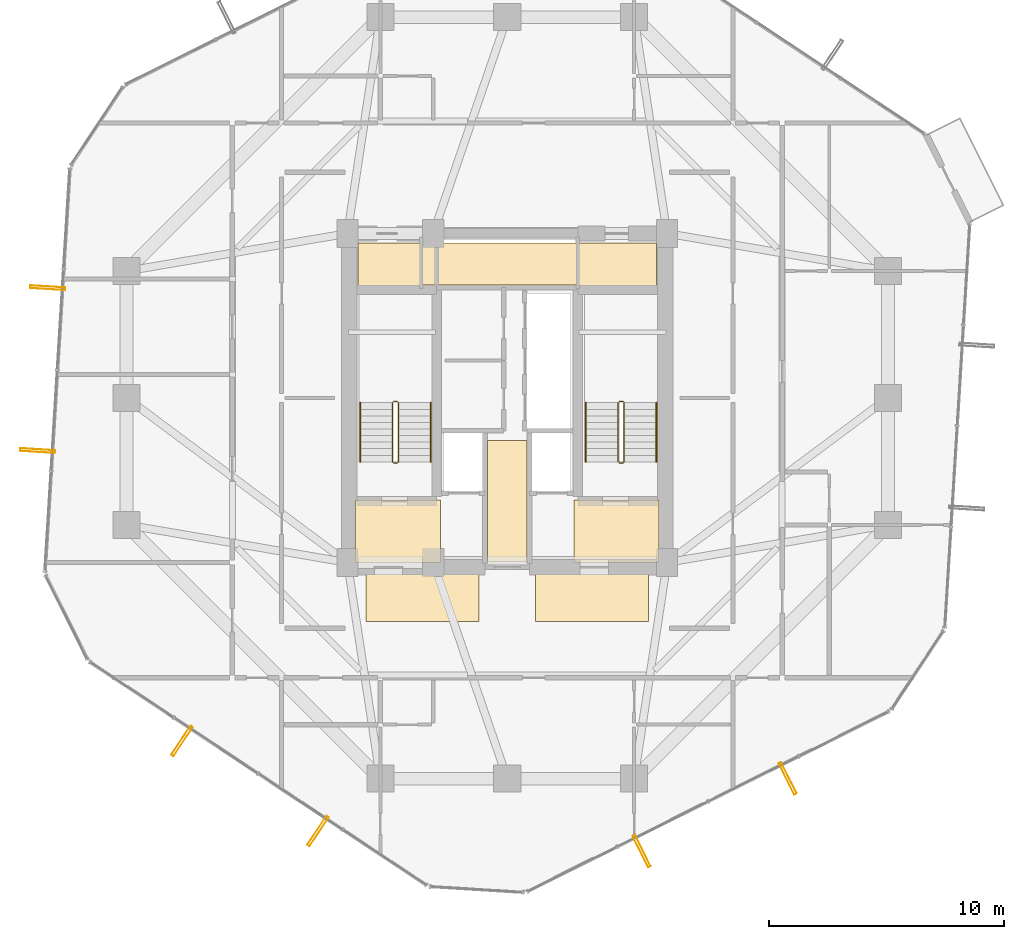
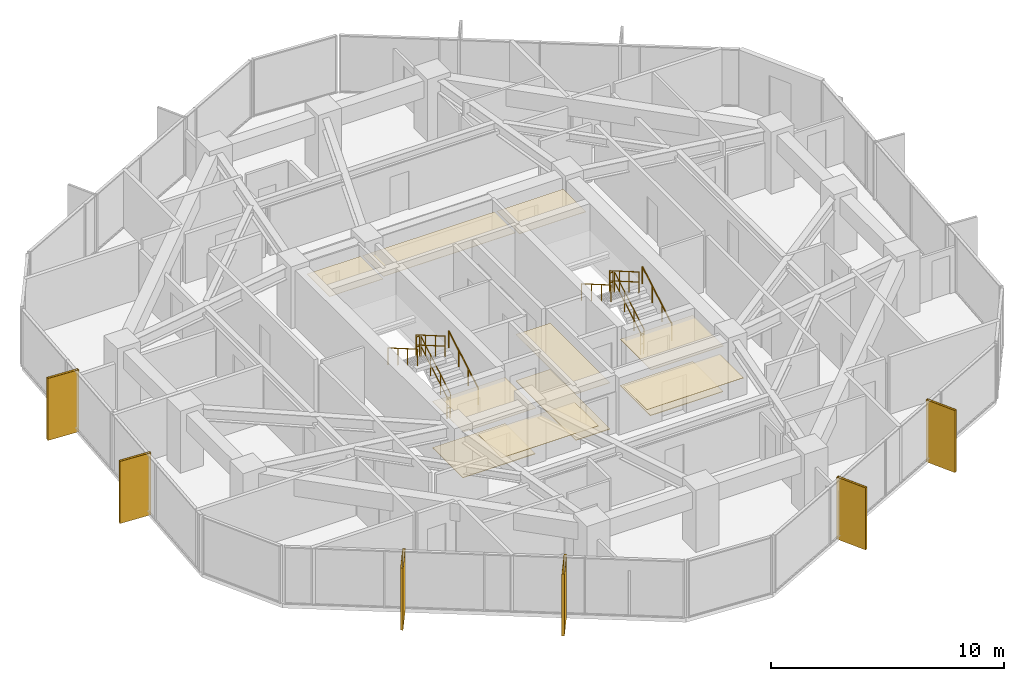
# One storey, part 29 of 30: 12 railings, 11 coverings, 6 shading devices.
"""IFC4 building model written with IfcOpenShell, lengths in metres."""

from ifc_helpers import new_model, si_unit, direction, frame, origin, origin_2d, place, context, subcontext, project, spatial, polyline, hollow_rectangle, circle, outline, extrude, material, layer, layer_set, material_profile, profile_set, type_object, element, save


model = new_model("IFC4")

# Units and contexts
model_context = context("Model", 3, precision=1e-05, world=origin(), true_north=direction((0.0, 1.0)))
body_context = subcontext(model_context, "Body", "Model", "MODEL_VIEW")
ifc_project = project(units=[si_unit("LENGTHUNIT", "METRE"), si_unit("AREAUNIT", "SQUARE_METRE"), si_unit("VOLUMEUNIT", "CUBIC_METRE"), si_unit("PLANEANGLEUNIT", "RADIAN"), si_unit("MASSUNIT", "GRAM", prefix="KILO")], contexts=[model_context])

# Site, building, storey
site_placement = place(None, origin())
site = spatial("IfcSite", under=ifc_project, at=site_placement, CompositionType="ELEMENT")
building_placement = place(site_placement, origin())
building = spatial("IfcBuilding", under=site, at=building_placement, Name="Veraguas Prism Commons", CompositionType="ELEMENT")
storey_placement = place(building_placement, frame((0.0, 0.0, 116.5)))
storey = spatial("IfcBuildingStorey", under=building, at=storey_placement, Name="L32", CompositionType="ELEMENT", Elevation=116.5)

# Shading devices
ifc_material_1 = material(Name="Anodised aluminium EN AW-6063 T6", Category="aluminium")
ifc_material_profile = material_profile(ifc_material_1, hollow_rectangle(XDim=0.1201171875, YDim=1.489990234375, WallThickness=0.006103515625, at=origin_2d()), Name="FIN120X1490X6")
ifc_profile_set = profile_set([ifc_material_profile], Name="Anodised aluminium EN AW-6063 T6")
shading_device_type = type_object("IfcShadingDeviceType", Name="Deep Pale-Metal Vertical Solar Fin 120x1490", PredefinedType="USERDEFINED", material=ifc_profile_set)
for number, where, z_axis, x_axis, name in (
    (1, (4.444580078125, 28.687255859375, -0.22998046875), (0.0, 0.0, 1.0), (-0.061741870147, -0.998092150791, 0.0), "Vertical Pale-Metal Solar Fin L32-F3A"),
    (2, (4.01611328125, 21.7587890625, -0.22998046875), (0.0, 0.0, 1.0), (-0.061741870147, -0.998092150791, 0.0), "Vertical Pale-Metal Solar Fin L32-F3B"),
    (3, (10.1630859375, 9.408203125, -0.22998046875), (0.0, 0.0, 1.0), (0.833501258506, -0.552517558155, 0.0), "Vertical Pale-Metal Solar Fin L32-F4A"),
    (4, (15.948974609375, 5.57275390625, -0.22998046875), (0.0, 0.0, 1.0), (0.833501258506, -0.552517558155, 0.0), "Vertical Pale-Metal Solar Fin L32-F4B"),
    (5, (29.718505859375, 4.720947265625, -0.22998046875), (0.0, 0.0, 1.0), (0.895246425995, 0.445571359878, 0.0), "Vertical Pale-Metal Solar Fin L32-F5A"),
    (6, (35.93310546875, 7.81396484375, -0.22998046875), (0.0, 0.0, 1.0), (0.895246425995, 0.445571359878, 0.0), "Vertical Pale-Metal Solar Fin L32-F5B"),
):
    element("IfcShadingDevice", number, at=place(storey_placement, frame(where, z_axis=z_axis, x_axis=x_axis)), inside=storey, type_object=shading_device_type, Name=name, ObjectType="FIN", PredefinedType="USERDEFINED", context=body_context, shape_type="SweptSolid", body=[
        extrude(hollow_rectangle(XDim=0.1201171875, YDim=1.489990234375, WallThickness=0.006103515625, at=origin_2d()), origin(), (0.0, 0.0, 1.0), 3.25),
    ])

# Coverings
ifc_material_2 = material(Name="Acoustic gypsum board")
ifc_layer_1 = layer(ifc_material_2, 0.02490234375, Name="Perforated Acoustic Ceiling Tile 25")
ifc_layer_set_1 = layer_set([ifc_layer_1], Name="Acoustic gypsum board")
covering_type_1 = type_object("IfcCoveringType", Name="Perforated Acoustic Ceiling Tile 25", PredefinedType="USERDEFINED", material=ifc_layer_set_1)
covering_1_placement = place(storey_placement, frame((0.0, 0.0, 2.425048828125)))
element("IfcCovering", 7, at=covering_1_placement, inside=storey, type_object=covering_type_1, Name="East Lobby Acoustic Ceiling L32", ObjectType="ACOUSTIC CEILING", PredefinedType="USERDEFINED", context=body_context, shape_type="SweptSolid", body=[
    extrude(outline(polyline([(26.85009765625, 17.0), (30.449951171875, 17.0), (30.449951171875, 19.64990234375), (26.85009765625, 19.64990234375), (26.85009765625, 17.0)])), origin(), (0.0, 0.0, 1.0), 0.02490234375),
])
ifc_material_3 = material(Name="Terrazzo stone finish", Category="masonry")
ifc_layer_2 = layer(ifc_material_3, 0.030029296875, Name="Polished Terrazzo Floor Finish 30", Category="masonry")
ifc_layer_set_2 = layer_set([ifc_layer_2], Name="Terrazzo stone finish")
covering_type_2 = type_object("IfcCoveringType", Name="Polished Terrazzo Floor Finish 30", PredefinedType="FLOORING", material=ifc_layer_set_2)
covering_2_placement = place(storey_placement, origin())
element("IfcCovering", 8, at=covering_2_placement, inside=storey, type_object=covering_type_2, Name="Terrazzo Lobby Flooring L32", PredefinedType="FLOORING", context=body_context, shape_type="SweptSolid", body=[
    extrude(outline(polyline([(23.14990234375, 17.050048828125), (24.85009765625, 17.050048828125), (24.85009765625, 22.199951171875), (23.14990234375, 22.199951171875), (23.14990234375, 17.050048828125)])), origin(), (0.0, 0.0, 1.0), 0.030029296875),
])
covering_3_placement = place(storey_placement, origin())
element("IfcCovering", 9, at=covering_3_placement, inside=storey, type_object=covering_type_2, Name="West FF Lobby Terrazzo Flooring L32", PredefinedType="FLOORING", context=body_context, shape_type="SweptSolid", body=[
    extrude(outline(polyline([(17.550048828125, 17.050048828125), (21.14990234375, 17.050048828125), (21.14990234375, 19.64990234375), (17.550048828125, 19.64990234375), (17.550048828125, 17.050048828125)])), origin(), (0.0, 0.0, 1.0), 0.030029296875),
])
covering_4_placement = place(storey_placement, origin())
element("IfcCovering", 10, at=covering_4_placement, inside=storey, type_object=covering_type_2, Name="East FF Lobby Terrazzo Flooring L32", PredefinedType="FLOORING", context=body_context, shape_type="SweptSolid", body=[
    extrude(outline(polyline([(26.85009765625, 17.050048828125), (30.449951171875, 17.050048828125), (30.449951171875, 19.64990234375), (26.85009765625, 19.64990234375), (26.85009765625, 17.050048828125)])), origin(), (0.0, 0.0, 1.0), 0.030029296875),
])

# Railings
ifc_material_4 = material(Name="Stainless steel AISI 316", Category="steel")
railing_type_1 = type_object("IfcRailingType", Name="Stair and Ramp Stainless Handrail 900", PredefinedType="HANDRAIL", material=ifc_material_4)
railing_1_placement = place(storey_placement, frame((20.75, 21.280029296875, 0.16259765625)))
element("IfcRailing", 11, at=railing_1_placement, inside=storey, type_object=railing_type_1, Name="Stair Handrail ST-01 L32-1", PredefinedType="HANDRAIL", context=body_context, shape_type="SweptSolid", body=[
    extrude(circle(Radius=0.02392578125, at=origin_2d()), frame((0.0, 0.0, 0.8759765625), z_axis=(0.0, 0.864913338283, 0.50192122615), x_axis=(-1.0, 0.0, 0.0)), (0.0, 0.0, 1.0), 2.91357421875),
    extrude(circle(Radius=0.02099609375, at=origin_2d()), origin(), (0.0, 0.0, 1.0), 0.851806640625),
    extrude(circle(Radius=0.02099609375, at=origin_2d()), frame((0.0, 0.840087890625, 0.487548828125)), (0.0, 0.0, 1.0), 0.851806640625),
    extrude(circle(Radius=0.02099609375, at=origin_2d()), frame((0.0, 1.679931640625, 0.974853515625)), (0.0, 0.0, 1.0), 0.851806640625),
    extrude(circle(Radius=0.02099609375, at=origin_2d()), frame((0.0, 2.52001953125, 1.46240234375)), (0.0, 0.0, 1.0), 0.851806640625),
])
railing_2_placement = place(storey_placement, frame((17.739990234375, 23.800048828125, 1.78759765625)))
element("IfcRailing", 12, at=railing_2_placement, inside=storey, type_object=railing_type_1, Name="Stair Handrail ST-01 L32-2", PredefinedType="HANDRAIL", context=body_context, shape_type="SweptSolid", body=[
    extrude(circle(Radius=0.02392578125, at=origin_2d()), frame((0.0, 0.0, 0.8759765625), z_axis=(0.0, -0.864913338283, 0.50192122615), x_axis=(1.0, 0.0, 0.0)), (0.0, 0.0, 1.0), 2.91357421875),
    extrude(circle(Radius=0.02099609375, at=origin_2d()), origin(), (0.0, 0.0, 1.0), 0.851806640625),
    extrude(circle(Radius=0.02099609375, at=origin_2d()), frame((0.0, -0.840087890625, 0.487548828125)), (0.0, 0.0, 1.0), 0.851806640625),
    extrude(circle(Radius=0.02099609375, at=origin_2d()), frame((0.0, -1.679931640625, 0.974853515625)), (0.0, 0.0, 1.0), 0.851806640625),
    extrude(circle(Radius=0.02099609375, at=origin_2d()), frame((0.0, -2.52001953125, 1.46240234375)), (0.0, 0.0, 1.0), 0.851806640625),
])
railing_3_placement = place(storey_placement, frame((30.35009765625, 21.280029296875, 0.16259765625)))
element("IfcRailing", 13, at=railing_3_placement, inside=storey, type_object=railing_type_1, Name="Stair Handrail ST-02 L32-1", PredefinedType="HANDRAIL", context=body_context, shape_type="SweptSolid", body=[
    extrude(circle(Radius=0.02392578125, at=origin_2d()), frame((0.0, 0.0, 0.8759765625), z_axis=(0.0, 0.864913338283, 0.50192122615), x_axis=(-1.0, 0.0, 0.0)), (0.0, 0.0, 1.0), 2.91357421875),
    extrude(circle(Radius=0.02099609375, at=origin_2d()), origin(), (0.0, 0.0, 1.0), 0.851806640625),
    extrude(circle(Radius=0.02099609375, at=origin_2d()), frame((0.0, 0.840087890625, 0.487548828125)), (0.0, 0.0, 1.0), 0.851806640625),
    extrude(circle(Radius=0.02099609375, at=origin_2d()), frame((0.0, 1.679931640625, 0.974853515625)), (0.0, 0.0, 1.0), 0.851806640625),
    extrude(circle(Radius=0.02099609375, at=origin_2d()), frame((0.0, 2.52001953125, 1.46240234375)), (0.0, 0.0, 1.0), 0.851806640625),
])
railing_4_placement = place(storey_placement, frame((27.340087890625, 23.800048828125, 1.78759765625)))
element("IfcRailing", 14, at=railing_4_placement, inside=storey, type_object=railing_type_1, Name="Stair Handrail ST-02 L32-2", PredefinedType="HANDRAIL", context=body_context, shape_type="SweptSolid", body=[
    extrude(circle(Radius=0.02392578125, at=origin_2d()), frame((0.0, 0.0, 0.8759765625), z_axis=(0.0, -0.864913338283, 0.50192122615), x_axis=(1.0, 0.0, 0.0)), (0.0, 0.0, 1.0), 2.91357421875),
    extrude(circle(Radius=0.02099609375, at=origin_2d()), origin(), (0.0, 0.0, 1.0), 0.851806640625),
    extrude(circle(Radius=0.02099609375, at=origin_2d()), frame((0.0, -0.840087890625, 0.487548828125)), (0.0, 0.0, 1.0), 0.851806640625),
    extrude(circle(Radius=0.02099609375, at=origin_2d()), frame((0.0, -1.679931640625, 0.974853515625)), (0.0, 0.0, 1.0), 0.851806640625),
    extrude(circle(Radius=0.02099609375, at=origin_2d()), frame((0.0, -2.52001953125, 1.46240234375)), (0.0, 0.0, 1.0), 0.851806640625),
])
railing_type_2 = type_object("IfcRailingType", Name="Stairwell Safety Guardrail 1100", PredefinedType="GUARDRAIL", material=ifc_material_4)
railing_5_placement = place(storey_placement, frame((19.3701171875, 21.280029296875, 0.16259765625)))
element("IfcRailing", 15, at=railing_5_placement, inside=storey, type_object=railing_type_2, Name="Stair Guard ST-01 L32-1", PredefinedType="GUARDRAIL", context=body_context, shape_type="SweptSolid", body=[
    extrude(circle(Radius=0.02392578125, at=origin_2d()), frame((0.0, 0.0, 1.076171875), z_axis=(0.0, 0.864913338283, 0.50192122615), x_axis=(-1.0, 0.0, 0.0)), (0.0, 0.0, 1.0), 2.91357421875),
    extrude(circle(Radius=0.02392578125, at=origin_2d()), frame((0.0, 0.0, 0.550048828125), z_axis=(0.0, 0.864913338283, 0.50192122615), x_axis=(-1.0, 0.0, 0.0)), (0.0, 0.0, 1.0), 2.91357421875),
    extrude(circle(Radius=0.02099609375, at=origin_2d()), origin(), (0.0, 0.0, 1.0), 1.052001953125),
    extrude(circle(Radius=0.02099609375, at=origin_2d()), frame((0.0, 0.840087890625, 0.487548828125)), (0.0, 0.0, 1.0), 1.052001953125),
    extrude(circle(Radius=0.02099609375, at=origin_2d()), frame((0.0, 1.679931640625, 0.974853515625)), (0.0, 0.0, 1.0), 1.052001953125),
    extrude(circle(Radius=0.02099609375, at=origin_2d()), frame((0.0, 2.52001953125, 1.46240234375)), (0.0, 0.0, 1.0), 1.052001953125),
])
railing_6_placement = place(storey_placement, frame((19.320068359375, 23.85009765625, 1.625)))
element("IfcRailing", 16, at=railing_6_placement, inside=storey, type_object=railing_type_2, Name="Stair Guard ST-01 L32-2", PredefinedType="GUARDRAIL", context=body_context, shape_type="SweptSolid", body=[
    extrude(circle(Radius=0.02392578125, at=origin_2d()), frame((0.0, 0.0, 1.076171875), z_axis=(-1.0, 0.0, 0.0), x_axis=(0.0, -1.0, 0.0)), (0.0, 0.0, 1.0), 0.150146484375),
    extrude(circle(Radius=0.02392578125, at=origin_2d()), frame((0.0, 0.0, 0.550048828125), z_axis=(-1.0, 0.0, 0.0), x_axis=(0.0, -1.0, 0.0)), (0.0, 0.0, 1.0), 0.150146484375),
    extrude(circle(Radius=0.02099609375, at=origin_2d()), origin(), (0.0, 0.0, 1.0), 1.052001953125),
    extrude(circle(Radius=0.02099609375, at=origin_2d()), frame((-0.150146484375, 0.0, 0.0)), (0.0, 0.0, 1.0), 1.052001953125),
])
railing_7_placement = place(storey_placement, frame((19.1201171875, 23.800048828125, 1.78759765625)))
element("IfcRailing", 17, at=railing_7_placement, inside=storey, type_object=railing_type_2, Name="Stair Guard ST-01 L32-3", PredefinedType="GUARDRAIL", context=body_context, shape_type="SweptSolid", body=[
    extrude(circle(Radius=0.02392578125, at=origin_2d()), frame((0.0, 0.0, 1.076171875), z_axis=(0.0, -0.864913338283, 0.50192122615), x_axis=(1.0, 0.0, 0.0)), (0.0, 0.0, 1.0), 2.91357421875),
    extrude(circle(Radius=0.02392578125, at=origin_2d()), frame((0.0, 0.0, 0.550048828125), z_axis=(0.0, -0.864913338283, 0.50192122615), x_axis=(1.0, 0.0, 0.0)), (0.0, 0.0, 1.0), 2.91357421875),
    extrude(circle(Radius=0.02099609375, at=origin_2d()), origin(), (0.0, 0.0, 1.0), 1.052001953125),
    extrude(circle(Radius=0.02099609375, at=origin_2d()), frame((0.0, -0.840087890625, 0.487548828125)), (0.0, 0.0, 1.0), 1.052001953125),
    extrude(circle(Radius=0.02099609375, at=origin_2d()), frame((0.0, -1.679931640625, 0.974853515625)), (0.0, 0.0, 1.0), 1.052001953125),
    extrude(circle(Radius=0.02099609375, at=origin_2d()), frame((0.0, -2.52001953125, 1.46240234375)), (0.0, 0.0, 1.0), 1.052001953125),
])
railing_8_placement = place(storey_placement, frame((19.320068359375, 21.22998046875, 0.0)))
element("IfcRailing", 18, at=railing_8_placement, inside=storey, type_object=railing_type_2, Name="Stair Guard ST-01 L32-4", PredefinedType="GUARDRAIL", context=body_context, shape_type="SweptSolid", body=[
    extrude(circle(Radius=0.02392578125, at=origin_2d()), frame((0.0, 0.0, 1.076171875), z_axis=(-1.0, 0.0, 0.0), x_axis=(0.0, -1.0, 0.0)), (0.0, 0.0, 1.0), 0.150146484375),
    extrude(circle(Radius=0.02392578125, at=origin_2d()), frame((0.0, 0.0, 0.550048828125), z_axis=(-1.0, 0.0, 0.0), x_axis=(0.0, -1.0, 0.0)), (0.0, 0.0, 1.0), 0.150146484375),
    extrude(circle(Radius=0.02099609375, at=origin_2d()), origin(), (0.0, 0.0, 1.0), 1.052001953125),
    extrude(circle(Radius=0.02099609375, at=origin_2d()), frame((-0.150146484375, 0.0, 0.0)), (0.0, 0.0, 1.0), 1.052001953125),
])
railing_9_placement = place(storey_placement, frame((28.969970703125, 21.280029296875, 0.16259765625)))
element("IfcRailing", 19, at=railing_9_placement, inside=storey, type_object=railing_type_2, Name="Stair Guard ST-02 L32-1", PredefinedType="GUARDRAIL", context=body_context, shape_type="SweptSolid", body=[
    extrude(circle(Radius=0.02392578125, at=origin_2d()), frame((0.0, 0.0, 1.076171875), z_axis=(0.0, 0.864913338283, 0.50192122615), x_axis=(-1.0, 0.0, 0.0)), (0.0, 0.0, 1.0), 2.91357421875),
    extrude(circle(Radius=0.02392578125, at=origin_2d()), frame((0.0, 0.0, 0.550048828125), z_axis=(0.0, 0.864913338283, 0.50192122615), x_axis=(-1.0, 0.0, 0.0)), (0.0, 0.0, 1.0), 2.91357421875),
    extrude(circle(Radius=0.02099609375, at=origin_2d()), origin(), (0.0, 0.0, 1.0), 1.052001953125),
    extrude(circle(Radius=0.02099609375, at=origin_2d()), frame((0.0, 0.840087890625, 0.487548828125)), (0.0, 0.0, 1.0), 1.052001953125),
    extrude(circle(Radius=0.02099609375, at=origin_2d()), frame((0.0, 1.679931640625, 0.974853515625)), (0.0, 0.0, 1.0), 1.052001953125),
    extrude(circle(Radius=0.02099609375, at=origin_2d()), frame((0.0, 2.52001953125, 1.46240234375)), (0.0, 0.0, 1.0), 1.052001953125),
])
railing_10_placement = place(storey_placement, frame((28.919921875, 23.85009765625, 1.625)))
element("IfcRailing", 20, at=railing_10_placement, inside=storey, type_object=railing_type_2, Name="Stair Guard ST-02 L32-2", PredefinedType="GUARDRAIL", context=body_context, shape_type="SweptSolid", body=[
    extrude(circle(Radius=0.02392578125, at=origin_2d()), frame((0.0, 0.0, 1.076171875), z_axis=(-1.0, 0.0, 0.0), x_axis=(0.0, -1.0, 0.0)), (0.0, 0.0, 1.0), 0.14990234375),
    extrude(circle(Radius=0.02392578125, at=origin_2d()), frame((0.0, 0.0, 0.550048828125), z_axis=(-1.0, 0.0, 0.0), x_axis=(0.0, -1.0, 0.0)), (0.0, 0.0, 1.0), 0.14990234375),
    extrude(circle(Radius=0.02099609375, at=origin_2d()), origin(), (0.0, 0.0, 1.0), 1.052001953125),
    extrude(circle(Radius=0.02099609375, at=origin_2d()), frame((-0.14990234375, 0.0, 0.0)), (0.0, 0.0, 1.0), 1.052001953125),
])
railing_11_placement = place(storey_placement, frame((28.719970703125, 23.800048828125, 1.78759765625)))
element("IfcRailing", 21, at=railing_11_placement, inside=storey, type_object=railing_type_2, Name="Stair Guard ST-02 L32-3", PredefinedType="GUARDRAIL", context=body_context, shape_type="SweptSolid", body=[
    extrude(circle(Radius=0.02392578125, at=origin_2d()), frame((0.0, 0.0, 1.076171875), z_axis=(0.0, -0.864913338283, 0.50192122615), x_axis=(1.0, 0.0, 0.0)), (0.0, 0.0, 1.0), 2.91357421875),
    extrude(circle(Radius=0.02392578125, at=origin_2d()), frame((0.0, 0.0, 0.550048828125), z_axis=(0.0, -0.864913338283, 0.50192122615), x_axis=(1.0, 0.0, 0.0)), (0.0, 0.0, 1.0), 2.91357421875),
    extrude(circle(Radius=0.02099609375, at=origin_2d()), origin(), (0.0, 0.0, 1.0), 1.052001953125),
    extrude(circle(Radius=0.02099609375, at=origin_2d()), frame((0.0, -0.840087890625, 0.487548828125)), (0.0, 0.0, 1.0), 1.052001953125),
    extrude(circle(Radius=0.02099609375, at=origin_2d()), frame((0.0, -1.679931640625, 0.974853515625)), (0.0, 0.0, 1.0), 1.052001953125),
    extrude(circle(Radius=0.02099609375, at=origin_2d()), frame((0.0, -2.52001953125, 1.46240234375)), (0.0, 0.0, 1.0), 1.052001953125),
])
railing_12_placement = place(storey_placement, frame((28.919921875, 21.22998046875, 0.0)))
element("IfcRailing", 22, at=railing_12_placement, inside=storey, type_object=railing_type_2, Name="Stair Guard ST-02 L32-4", PredefinedType="GUARDRAIL", context=body_context, shape_type="SweptSolid", body=[
    extrude(circle(Radius=0.02392578125, at=origin_2d()), frame((0.0, 0.0, 1.076171875), z_axis=(-1.0, 0.0, 0.0), x_axis=(0.0, -1.0, 0.0)), (0.0, 0.0, 1.0), 0.14990234375),
    extrude(circle(Radius=0.02392578125, at=origin_2d()), frame((0.0, 0.0, 0.550048828125), z_axis=(-1.0, 0.0, 0.0), x_axis=(0.0, -1.0, 0.0)), (0.0, 0.0, 1.0), 0.14990234375),
    extrude(circle(Radius=0.02099609375, at=origin_2d()), origin(), (0.0, 0.0, 1.0), 1.052001953125),
    extrude(circle(Radius=0.02099609375, at=origin_2d()), frame((-0.14990234375, 0.0, 0.0)), (0.0, 0.0, 1.0), 1.052001953125),
])

# Coverings
ifc_layer_3 = layer(ifc_material_2, 0.02001953125, Name="Suspended Gypsum Ceiling 20")
ifc_layer_set_3 = layer_set([ifc_layer_3], Name="Acoustic gypsum board")
covering_type_3 = type_object("IfcCoveringType", Name="Suspended Gypsum Ceiling 20", PredefinedType="CEILING", material=ifc_layer_set_3)
covering_5_placement = place(storey_placement, frame((0.0, 0.0, 2.429931640625)))
element("IfcCovering", 23, at=covering_5_placement, inside=storey, type_object=covering_type_3, Name="West Lobby Suspended Gypsum Ceiling L32", PredefinedType="CEILING", context=body_context, shape_type="SweptSolid", body=[
    extrude(outline(polyline([(17.550048828125, 17.0), (21.14990234375, 17.0), (21.14990234375, 19.64990234375), (17.550048828125, 19.64990234375), (17.550048828125, 17.0)])), origin(), (0.0, 0.0, 1.0), 0.02001953125),
])
covering_6_placement = place(storey_placement, frame((0.0, 0.0, 2.429931640625)))
element("IfcCovering", 24, at=covering_6_placement, inside=storey, type_object=covering_type_3, Name="Core Lobby Acoustic Ceiling L32-1", PredefinedType="CEILING", context=body_context, shape_type="SweptSolid", body=[
    extrude(outline(polyline([(18.0, 14.5), (22.800048828125, 14.5), (22.800048828125, 16.550048828125), (18.0, 16.550048828125), (18.0, 14.5)])), origin(), (0.0, 0.0, 1.0), 0.02001953125),
])
covering_7_placement = place(storey_placement, frame((0.0, 0.0, 2.429931640625)))
element("IfcCovering", 25, at=covering_7_placement, inside=storey, type_object=covering_type_3, Name="Core Lobby Acoustic Ceiling L32-2", PredefinedType="CEILING", context=body_context, shape_type="SweptSolid", body=[
    extrude(outline(polyline([(25.199951171875, 14.5), (30.0, 14.5), (30.0, 16.550048828125), (25.199951171875, 16.550048828125), (25.199951171875, 14.5)])), origin(), (0.0, 0.0, 1.0), 0.02001953125),
])
covering_8_placement = place(storey_placement, frame((0.0, 0.0, 2.429931640625)))
element("IfcCovering", 26, at=covering_8_placement, inside=storey, type_object=covering_type_3, Name="Core Lobby Acoustic Ceiling L32-3", PredefinedType="CEILING", context=body_context, shape_type="SweptSolid", body=[
    extrude(outline(polyline([(23.14990234375, 17.050048828125), (24.85009765625, 17.050048828125), (24.85009765625, 22.199951171875), (23.14990234375, 22.199951171875), (23.14990234375, 17.050048828125)])), origin(), (0.0, 0.0, 1.0), 0.02001953125),
])
covering_9_placement = place(storey_placement, frame((0.0, 0.0, 2.429931640625)))
element("IfcCovering", 27, at=covering_9_placement, inside=storey, type_object=covering_type_3, Name="Core Lobby Acoustic Ceiling L32-4", PredefinedType="CEILING", context=body_context, shape_type="SweptSolid", body=[
    extrude(outline(polyline([(17.64990234375, 28.64990234375), (20.300048828125, 28.64990234375), (20.300048828125, 30.60009765625), (17.64990234375, 30.60009765625), (17.64990234375, 28.64990234375)])), origin(), (0.0, 0.0, 1.0), 0.02001953125),
])
covering_10_placement = place(storey_placement, frame((0.0, 0.0, 2.429931640625)))
element("IfcCovering", 28, at=covering_10_placement, inside=storey, type_object=covering_type_3, Name="Core Lobby Acoustic Ceiling L32-5", PredefinedType="CEILING", context=body_context, shape_type="SweptSolid", body=[
    extrude(outline(polyline([(27.050048828125, 28.64990234375), (30.35009765625, 28.64990234375), (30.35009765625, 30.60009765625), (27.050048828125, 30.60009765625), (27.050048828125, 28.64990234375)])), origin(), (0.0, 0.0, 1.0), 0.02001953125),
])
covering_11_placement = place(storey_placement, frame((0.0, 0.0, 2.429931640625)))
element("IfcCovering", 29, at=covering_11_placement, inside=storey, type_object=covering_type_3, Name="Core Lobby Acoustic Ceiling L32-6", PredefinedType="CEILING", context=body_context, shape_type="SweptSolid", body=[
    extrude(outline(polyline([(20.39990234375, 28.800048828125), (26.949951171875, 28.800048828125), (26.949951171875, 30.60009765625), (20.39990234375, 30.60009765625), (20.39990234375, 28.800048828125)])), origin(), (0.0, 0.0, 1.0), 0.02001953125),
])

save(model, "model.ifc")
